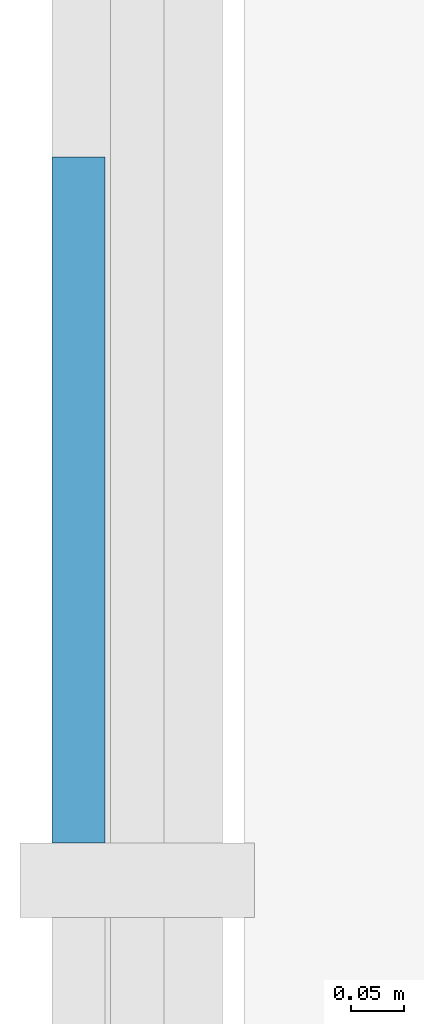
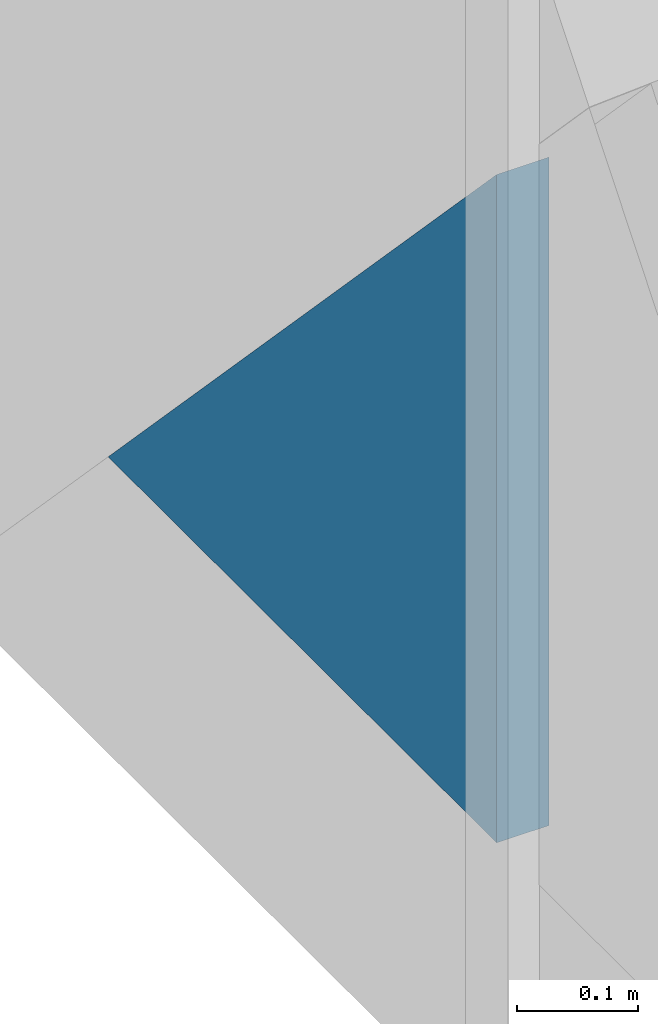
# One storey, part 10 of 17: 1 plate, 1 element without a shape of its own.
"""IFC4 building model written with IfcOpenShell, lengths in metres."""

from ifc_helpers import new_model, si_unit, direction, frame, origin, place, context, subcontext, project, spatial, polyline, outline, extrude, material, layer, layer_set, type_object, element, aggregate, save


model = new_model("IFC4")

# Units and contexts
model_context = context("Model", 3, precision=1e-05, world=origin(), true_north=direction((0.0, 1.0)))
body_context = subcontext(model_context, "Body", "Model", "MODEL_VIEW")
ifc_project = project(units=[si_unit("LENGTHUNIT", "METRE"), si_unit("AREAUNIT", "SQUARE_METRE"), si_unit("VOLUMEUNIT", "CUBIC_METRE"), si_unit("PLANEANGLEUNIT", "RADIAN"), si_unit("MASSUNIT", "GRAM", prefix="KILO")], contexts=[model_context])

# Site, building, storey
site_placement = place(None, origin())
site = spatial("IfcSite", under=ifc_project, at=site_placement, CompositionType="ELEMENT")
building_placement = place(site_placement, origin())
building = spatial("IfcBuilding", under=site, at=building_placement, Name="Rheinbord Bourse Tower", CompositionType="ELEMENT")
storey_placement = place(building_placement, frame((0.0, 0.0, 223.60009765625)))
storey = spatial("IfcBuildingStorey", under=building, at=storey_placement, Name="L50", CompositionType="ELEMENT", Elevation=223.60009765625)

# Curtain wall, plate
ifc_material_1 = material(Name="Dark glass and black aluminium", Category="aluminium")
curtain_wall_type = type_object("IfcCurtainWallType", Name="CW2 DARK GLASS CURTAIN WALL", PredefinedType="USERDEFINED", material=ifc_material_1)
curtain_wall_placement = place(storey_placement, origin())
curtain_wall = element("IfcCurtainWall", 1, at=curtain_wall_placement, inside=storey, type_object=curtain_wall_type, Name="Curtain wall CW2 W L50", ObjectType="UNITISED CURTAIN WALL", PredefinedType="USERDEFINED")
ifc_material_2 = material(Name="Dark tinted triple insulating glass", Category="glass")
ifc_layer = layer(ifc_material_2, 0.050048828125)
ifc_layer_set = layer_set([ifc_layer], Name="CW2 DARK GLASS PANEL")
plate_type = type_object("IfcPlateType", Name="CW2 DARK GLASS PANEL", PredefinedType="CURTAIN_PANEL", material=ifc_layer_set)
plate_placement = place(storey_placement, frame((-0.68017578125, 14.235107421875, 0.2998046875), z_axis=(1.0, 0.0, 0.0), x_axis=(0.0, 1.0, 0.0)))
plate = element("IfcPlate", 2, at=plate_placement, type_object=plate_type, Name="CW2 glass facet 2", PredefinedType="CURTAIN_PANEL", context=body_context, shape_type="SweptSolid", body=[
    extrude(outline(polyline([(0.0, 0.0), (0.643798828125, 0.0), (0.0, 0.676025390625), (0.0, 0.0)])), origin(), (0.0, 0.0, 1.0), 0.050048828125),
])
aggregate(curtain_wall, [plate])

save(model, "model.ifc")
